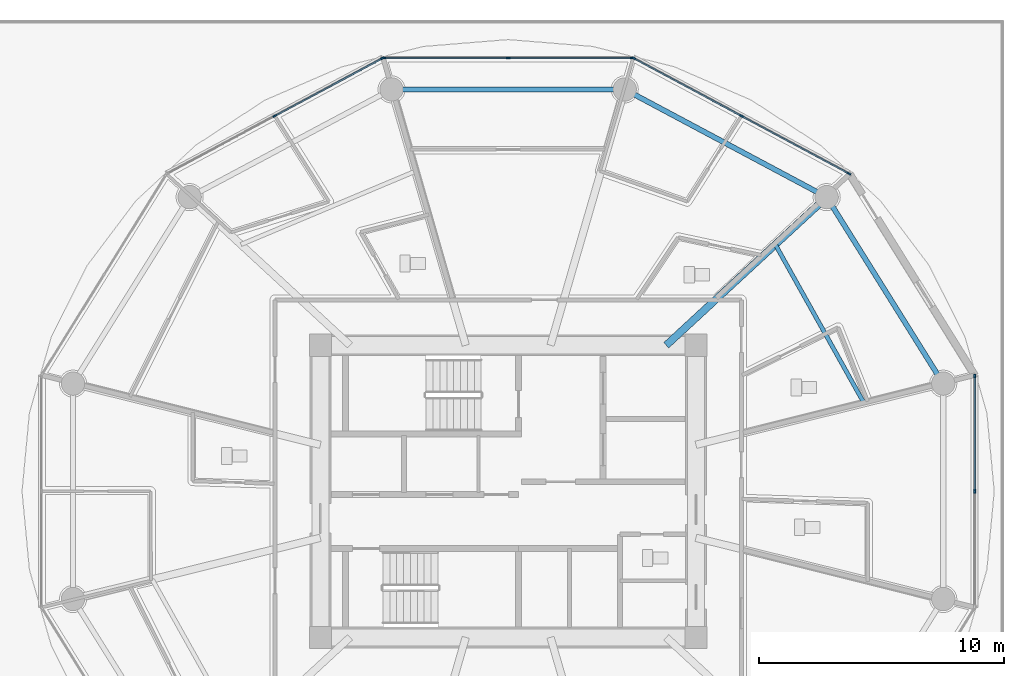
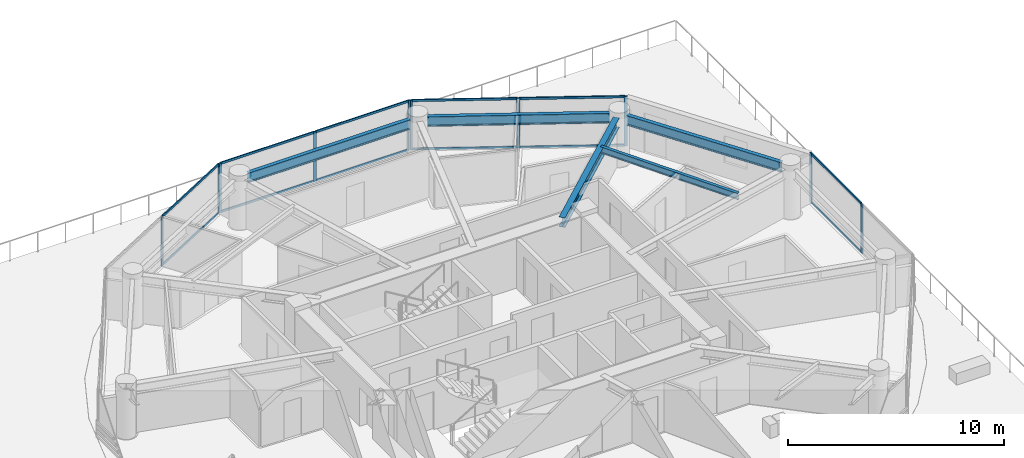
# One storey, part 12 of 32: 22 members, 5 beams, 4 elements without a shape of their own.
"""IFC4 building model written with IfcOpenShell, lengths in metres."""

from ifc_helpers import new_model, si_unit, direction, frame, origin, origin_2d, place, context, subcontext, project, spatial, rectangle, i_section, extrude, source, transform, mapped, material, layer, layer_set, material_profile, profile_set, type_object, type_shapes, element, aggregate, save


model = new_model("IFC4")

# Units and contexts
model_context = context("Model", 3, precision=1e-05, world=origin(), true_north=direction((0.0, 1.0)))
body_context = subcontext(model_context, "Body", "Model", "MODEL_VIEW")
ifc_project = project(units=[si_unit("LENGTHUNIT", "METRE"), si_unit("AREAUNIT", "SQUARE_METRE"), si_unit("VOLUMEUNIT", "CUBIC_METRE"), si_unit("PLANEANGLEUNIT", "RADIAN"), si_unit("MASSUNIT", "GRAM", prefix="KILO")], contexts=[model_context])

# Site, building, storey
site_placement = place(None, origin())
site = spatial("IfcSite", under=ifc_project, at=site_placement, CompositionType="ELEMENT")
building_placement = place(site_placement, origin())
building = spatial("IfcBuilding", under=site, at=building_placement, Name="Norrkilde Senior Care Towers", CompositionType="ELEMENT")
storey_placement = place(building_placement, frame((0.0, 0.0, 21.60009765625)))
storey = spatial("IfcBuildingStorey", under=building, at=storey_placement, Name="L05", CompositionType="ELEMENT", Elevation=21.60009765625)

# Beams
ifc_material_1 = material(Name="Steel S355", Category="steel")
ifc_material_profile_1 = material_profile(ifc_material_1, i_section(OverallWidth=0.2099609375, OverallDepth=0.550048828125, WebThickness=0.010986328125, FlangeThickness=0.01708984375, FilletRadius=0.02392578125, at=origin_2d()), Name="IPE 550")
ifc_profile_set_1 = profile_set([ifc_material_profile_1], Name="Steel S355")
beam_type_1 = type_object("IfcBeamType", Name="Perimeter Ring Spandrel Z1 IPE550", PredefinedType="SPANDREL", material=ifc_profile_set_1)
shared_shape_1 = source(origin(), body_context, "Body", "SweptSolid", [
    extrude(i_section(OverallWidth=0.2099609375, OverallDepth=0.550048828125, WebThickness=0.010986328125, FlangeThickness=0.01708984375, FilletRadius=0.02392578125, at=origin_2d()), origin(), (0.0, 0.0, 1.0), 8.090576171875),
])
beam_1_placement = place(storey_placement, frame((45.494140625, 4.755859375, 2.514892578125), z_axis=(-0.530004364821, 0.84799491347, 0.0), x_axis=(-0.84799491347, -0.530004364821, 0.0)))
element("IfcBeam", 1, at=beam_1_placement, inside=storey, type_object=beam_type_1, Name="L05 Drum E Perimeter Spandrel 01", PredefinedType="SPANDREL", context=body_context, shape_type="MappedRepresentation", body=[
    mapped(shared_shape_1, transform((0.0, 0.0, 0.0), x_axis=(1.0, 0.0, 0.0), y_axis=(0.0, 1.0, 0.0), z_axis=(0.0, 0.0, 1.0), scale=1.0)),
])
shared_shape_2 = source(origin(), body_context, "Body", "SweptSolid", [
    extrude(i_section(OverallWidth=0.2099609375, OverallDepth=0.550048828125, WebThickness=0.010986328125, FlangeThickness=0.01708984375, FilletRadius=0.02392578125, at=origin_2d()), origin(), (0.0, 0.0, 1.0), 8.452880859375),
])
beam_2_placement = place(storey_placement, frame((40.591552734375, 12.190185546875, 2.514892578125), z_axis=(-0.882368931134, 0.470558252898, 0.0), x_axis=(-0.470558252898, -0.882368931134, 0.0)))
element("IfcBeam", 2, at=beam_2_placement, inside=storey, type_object=beam_type_1, Name="L05 Drum E Perimeter Spandrel 02", PredefinedType="SPANDREL", context=body_context, shape_type="MappedRepresentation", body=[
    mapped(shared_shape_2, transform((0.0, 0.0, 0.0), x_axis=(1.0, 0.0, 0.0), y_axis=(0.0, 1.0, 0.0), z_axis=(0.0, 0.0, 1.0), scale=1.0)),
])
ifc_material_profile_2 = material_profile(ifc_material_1, i_section(OverallWidth=0.300048828125, OverallDepth=0.550048828125, WebThickness=0.014892578125, FlangeThickness=0.029052734375, FilletRadius=0.027099609375, at=origin_2d()), Name="HEB 550")
ifc_profile_set_2 = profile_set([ifc_material_profile_2], Name="Steel S355")
beam_type_2 = type_object("IfcBeamType", Name="Radial Floor Beam Z1 HEB550", PredefinedType="BEAM", material=ifc_profile_set_2)
shared_shape_3 = source(origin(), body_context, "Body", "SweptSolid", [
    extrude(i_section(OverallWidth=0.300048828125, OverallDepth=0.550048828125, WebThickness=0.014892578125, FlangeThickness=0.029052734375, FilletRadius=0.027099609375, at=origin_2d()), origin(), (0.0, 0.0, 1.0), 8.459716796875),
])
type_shapes(beam_type_2, [shared_shape_3])
beam_3_placement = place(storey_placement, frame((34.44140625, 5.949951171875, 2.514892578125), z_axis=(0.734573269108, 0.678529374686, 0.0), x_axis=(-0.678529374686, 0.734573269108, 0.0)))
element("IfcBeam", 3, at=beam_3_placement, inside=storey, type_object=beam_type_2, Name="L05 Drum E Radial Floor Beam 02", PredefinedType="BEAM", context=body_context, shape_type="MappedRepresentation", body=[
    mapped(shared_shape_3, transform((0.0, 0.0, 0.0), x_axis=(1.0, 0.0, 0.0), y_axis=(0.0, 1.0, 0.0), z_axis=(0.0, 0.0, 1.0), scale=1.0)),
])
shared_shape_4 = source(origin(), body_context, "Body", "SweptSolid", [
    extrude(i_section(OverallWidth=0.2099609375, OverallDepth=0.550048828125, WebThickness=0.010986328125, FlangeThickness=0.01708984375, FilletRadius=0.02392578125, at=origin_2d()), origin(), (0.0, 0.0, 1.0), 8.62841796875),
])
type_shapes(beam_type_1, [shared_shape_1, shared_shape_2, shared_shape_4])
beam_4_placement = place(storey_placement, frame((32.314208984375, 16.37255859375, 2.514892578125), z_axis=(-1.0, 0.0, 0.0), x_axis=(0.0, -1.0, 0.0)))
element("IfcBeam", 4, at=beam_4_placement, inside=storey, type_object=beam_type_1, Name="L05 Drum E Perimeter Spandrel 03", PredefinedType="SPANDREL", context=body_context, shape_type="MappedRepresentation", body=[
    mapped(shared_shape_4, transform((0.0, 0.0, 0.0), x_axis=(1.0, 0.0, 0.0), y_axis=(0.0, 1.0, 0.0), z_axis=(0.0, 0.0, 1.0), scale=1.0)),
])
ifc_material_profile_3 = material_profile(ifc_material_1, i_section(OverallWidth=0.169921875, OverallDepth=0.360107421875, WebThickness=0.008056640625, FlangeThickness=0.0126953125, FilletRadius=0.01806640625, at=origin_2d()), Name="IPE 360")
ifc_profile_set_3 = profile_set([ifc_material_profile_3], Name="Steel S355")
beam_type_3 = type_object("IfcBeamType", Name="Secondary Floor Joist IPE360", PredefinedType="JOIST", material=ifc_profile_set_3)
shared_shape_5 = source(origin(), body_context, "Body", "SweptSolid", [
    extrude(i_section(OverallWidth=0.169921875, OverallDepth=0.360107421875, WebThickness=0.008056640625, FlangeThickness=0.0126953125, FilletRadius=0.01806640625, at=origin_2d()), origin(), (0.0, 0.0, 1.0), 7.40771484375),
])
type_shapes(beam_type_3, [shared_shape_5])
beam_5_placement = place(storey_placement, frame((42.500732421875, 3.589111328125, 2.60986328125), z_axis=(-0.488167754092, 0.872749817453, 0.0), x_axis=(-0.872749817453, -0.488167754092, 0.0)))
element("IfcBeam", 5, at=beam_5_placement, inside=storey, type_object=beam_type_3, Name="L05 Drum E Secondary Floor Joist 1", PredefinedType="JOIST", context=body_context, shape_type="MappedRepresentation", body=[
    mapped(shared_shape_5, transform((0.0, 0.0, 0.0), x_axis=(1.0, 0.0, 0.0), y_axis=(0.0, 1.0, 0.0), z_axis=(0.0, 0.0, 1.0), scale=1.0)),
])

# Curtain wall, members
ifc_material_2 = material(Name="Triple Low-E Insulated Glazing", Category="glass")
ifc_layer = layer(ifc_material_2, 0.199951171875)
ifc_layer_set = layer_set([ifc_layer], Name="Triple Low-E Insulated Glazing")
curtain_wall_type = type_object("IfcCurtainWallType", Name="CW2 Zone 1 Memory Care Curtain Wall", PredefinedType="NOTDEFINED", material=ifc_layer_set)
curtain_wall_1_placement = place(storey_placement, origin())
curtain_wall_1 = element("IfcCurtainWall", 6, at=curtain_wall_1_placement, inside=storey, type_object=curtain_wall_type, Name="L05 Drum E Curtain Wall 01", PredefinedType="NOTDEFINED")
ifc_material_3 = material(Name="Anodised Aluminium", Category="aluminium")
ifc_material_profile_4 = material_profile(ifc_material_3, rectangle(XDim=0.06494140625, YDim=0.159912109375, at=origin_2d()), Name="ALU MULL 65x160")
ifc_profile_set_4 = profile_set([ifc_material_profile_4], Name="Anodised Aluminium")
member_type_1 = type_object("IfcMemberType", Name="Curtain Wall Mullion Z1-Z2 65x160", PredefinedType="MULLION", material=ifc_profile_set_4)
shared_shape_6 = source(origin(), body_context, "Body", "SweptSolid", [
    extrude(rectangle(XDim=0.06494140625, YDim=0.159912109375, at=origin_2d()), origin(), (0.0, 0.0, 1.0), 2.789794921875),
])
type_shapes(member_type_1, [shared_shape_6])
member_1_placement = place(storey_placement, frame((33.122314453125, 17.641845703125, 0.0), z_axis=(0.0, 0.0, 1.0), x_axis=(0.472607802456, 0.881272866403, 0.0)))
member_1 = element("IfcMember", 7, at=member_1_placement, type_object=member_type_1, Name="CW-2 mullion 1", PredefinedType="MULLION", context=body_context, shape_type="MappedRepresentation", body=[
    mapped(shared_shape_6, transform((0.0, 0.0, 0.0), x_axis=(1.0, 0.0, 0.0), y_axis=(0.0, 1.0, 0.0), z_axis=(0.0, 0.0, 1.0), scale=1.0)),
])
member_2_placement = place(storey_placement, frame((37.504638671875, 15.29150390625, 0.0), z_axis=(0.0, 0.0, 1.0), x_axis=(0.472607802456, 0.881272866403, 0.0)))
member_2 = element("IfcMember", 8, at=member_2_placement, type_object=member_type_1, Name="CW-2 mullion 2", PredefinedType="MULLION", context=body_context, shape_type="MappedRepresentation", body=[
    mapped(shared_shape_6, transform((0.0, 0.0, 0.0), x_axis=(1.0, 0.0, 0.0), y_axis=(0.0, 1.0, 0.0), z_axis=(0.0, 0.0, 1.0), scale=1.0)),
])
member_3_placement = place(storey_placement, frame((41.88720703125, 12.941162109375, 0.0), z_axis=(0.0, 0.0, 1.0), x_axis=(0.472607802456, 0.881272866403, 0.0)))
member_3 = element("IfcMember", 9, at=member_3_placement, type_object=member_type_1, Name="CW-2 mullion 3", PredefinedType="MULLION", context=body_context, shape_type="MappedRepresentation", body=[
    mapped(shared_shape_6, transform((0.0, 0.0, 0.0), x_axis=(1.0, 0.0, 0.0), y_axis=(0.0, 1.0, 0.0), z_axis=(0.0, 0.0, 1.0), scale=1.0)),
])

curtain_wall_2_placement = place(storey_placement, origin())
curtain_wall_2 = element("IfcCurtainWall", 10, at=curtain_wall_2_placement, inside=storey, type_object=curtain_wall_type, Name="L05 Drum E Curtain Wall 02", PredefinedType="NOTDEFINED")
member_4_placement = place(storey_placement, frame((22.93896484375, 17.6572265625, 0.0), z_axis=(0.0, 0.0, 1.0), x_axis=(0.0, 1.0, 0.0)))
member_4 = element("IfcMember", 11, at=member_4_placement, type_object=member_type_1, Name="CW-2 mullion 1", PredefinedType="MULLION", context=body_context, shape_type="MappedRepresentation", body=[
    mapped(shared_shape_6, transform((0.0, 0.0, 0.0), x_axis=(1.0, 0.0, 0.0), y_axis=(0.0, 1.0, 0.0), z_axis=(0.0, 0.0, 1.0), scale=1.0)),
])
member_5_placement = place(storey_placement, frame((28.0, 17.6572265625, 0.0), z_axis=(0.0, 0.0, 1.0), x_axis=(0.0, 1.0, 0.0)))
member_5 = element("IfcMember", 12, at=member_5_placement, type_object=member_type_1, Name="CW-2 mullion 2", PredefinedType="MULLION", context=body_context, shape_type="MappedRepresentation", body=[
    mapped(shared_shape_6, transform((0.0, 0.0, 0.0), x_axis=(1.0, 0.0, 0.0), y_axis=(0.0, 1.0, 0.0), z_axis=(0.0, 0.0, 1.0), scale=1.0)),
])
member_6_placement = place(storey_placement, frame((33.06103515625, 17.6572265625, 0.0), z_axis=(0.0, 0.0, 1.0), x_axis=(0.0, 1.0, 0.0)))
member_6 = element("IfcMember", 13, at=member_6_placement, type_object=member_type_1, Name="CW-2 mullion 3", PredefinedType="MULLION", context=body_context, shape_type="MappedRepresentation", body=[
    mapped(shared_shape_6, transform((0.0, 0.0, 0.0), x_axis=(1.0, 0.0, 0.0), y_axis=(0.0, 1.0, 0.0), z_axis=(0.0, 0.0, 1.0), scale=1.0)),
])

curtain_wall_3_placement = place(storey_placement, origin())
curtain_wall_3 = element("IfcCurtainWall", 14, at=curtain_wall_3_placement, inside=storey, type_object=curtain_wall_type, Name="L05 Drum E Curtain Wall 03", PredefinedType="NOTDEFINED")
member_7_placement = place(storey_placement, frame((18.495361328125, 15.29150390625, 0.0), z_axis=(0.0, 0.0, 1.0), x_axis=(-0.472607802456, 0.881272866403, 0.0)))
member_7 = element("IfcMember", 15, at=member_7_placement, type_object=member_type_1, Name="CW-2 mullion 2", PredefinedType="MULLION", context=body_context, shape_type="MappedRepresentation", body=[
    mapped(shared_shape_6, transform((0.0, 0.0, 0.0), x_axis=(1.0, 0.0, 0.0), y_axis=(0.0, 1.0, 0.0), z_axis=(0.0, 0.0, 1.0), scale=1.0)),
])
member_8_placement = place(storey_placement, frame((22.877685546875, 17.641845703125, 0.0), z_axis=(0.0, 0.0, 1.0), x_axis=(-0.472607802456, 0.881272866403, 0.0)))
member_8 = element("IfcMember", 16, at=member_8_placement, type_object=member_type_1, Name="CW-2 mullion 3", PredefinedType="MULLION", context=body_context, shape_type="MappedRepresentation", body=[
    mapped(shared_shape_6, transform((0.0, 0.0, 0.0), x_axis=(1.0, 0.0, 0.0), y_axis=(0.0, 1.0, 0.0), z_axis=(0.0, 0.0, 1.0), scale=1.0)),
])

curtain_wall_4_placement = place(storey_placement, origin())
curtain_wall_4 = element("IfcCurtainWall", 17, at=curtain_wall_4_placement, inside=storey, type_object=curtain_wall_type, Name="L05 Drum E Curtain Wall 11", PredefinedType="NOTDEFINED")
member_9_placement = place(storey_placement, frame((47.009521484375, 4.69873046875, 0.0), z_axis=(0.0, 0.0, 1.0), x_axis=(1.0, 0.0, 0.0)))
member_9 = element("IfcMember", 18, at=member_9_placement, type_object=member_type_1, Name="CW-2 mullion 1", PredefinedType="MULLION", context=body_context, shape_type="MappedRepresentation", body=[
    mapped(shared_shape_6, transform((0.0, 0.0, 0.0), x_axis=(1.0, 0.0, 0.0), y_axis=(0.0, 1.0, 0.0), z_axis=(0.0, 0.0, 1.0), scale=1.0)),
])
member_10_placement = place(storey_placement, frame((47.009521484375, 0.0, 0.0), z_axis=(0.0, 0.0, 1.0), x_axis=(1.0, 0.0, 0.0)))
member_10 = element("IfcMember", 19, at=member_10_placement, type_object=member_type_1, Name="CW-2 mullion 2", PredefinedType="MULLION", context=body_context, shape_type="MappedRepresentation", body=[
    mapped(shared_shape_6, transform((0.0, 0.0, 0.0), x_axis=(1.0, 0.0, 0.0), y_axis=(0.0, 1.0, 0.0), z_axis=(0.0, 0.0, 1.0), scale=1.0)),
])

# Member
ifc_material_profile_5 = material_profile(ifc_material_3, rectangle(XDim=0.06005859375, YDim=0.1201171875, at=origin_2d()), Name="ALU TRAN 60x120")
ifc_profile_set_5 = profile_set([ifc_material_profile_5], Name="Anodised Aluminium")
member_type_2 = type_object("IfcMemberType", Name="Curtain Wall Transom Typical 60x120", PredefinedType="USERDEFINED", material=ifc_profile_set_5)
shared_shape_7 = source(origin(), body_context, "Body", "SweptSolid", [
    extrude(rectangle(XDim=0.06005859375, YDim=0.1201171875, at=origin_2d()), origin(), (0.0, 0.0, 1.0), 4.907958984375),
])
member_11_placement = place(storey_placement, frame((33.15087890625, 17.62646484375, 0.02978515625), z_axis=(0.881266902561, -0.472618923077, 0.0), x_axis=(0.472618923077, 0.881266902561, 0.0)))
member_11 = element("IfcMember", 20, at=member_11_placement, type_object=member_type_2, Name="CW-2 transom 1.1", ObjectType="TRANSOM", PredefinedType="USERDEFINED", context=body_context, shape_type="MappedRepresentation", body=[
    mapped(shared_shape_7, transform((0.0, 0.0, 0.0), x_axis=(1.0, 0.0, 0.0), y_axis=(0.0, 1.0, 0.0), z_axis=(0.0, 0.0, 1.0), scale=1.0)),
])

member_12_placement = place(storey_placement, frame((33.15087890625, 17.62646484375, 2.760009765625), z_axis=(0.881266902561, -0.472618923077, 0.0), x_axis=(0.472618923077, 0.881266902561, 0.0)))
member_12 = element("IfcMember", 21, at=member_12_placement, type_object=member_type_2, Name="CW-2 transom 1.2", ObjectType="TRANSOM", PredefinedType="USERDEFINED", context=body_context, shape_type="MappedRepresentation", body=[
    mapped(shared_shape_7, transform((0.0, 0.0, 0.0), x_axis=(1.0, 0.0, 0.0), y_axis=(0.0, 1.0, 0.0), z_axis=(0.0, 0.0, 1.0), scale=1.0)),
])

member_13_placement = place(storey_placement, frame((37.533447265625, 15.276123046875, 0.02978515625), z_axis=(0.881266902561, -0.472618923077, 0.0), x_axis=(0.472618923077, 0.881266902561, 0.0)))
member_13 = element("IfcMember", 22, at=member_13_placement, type_object=member_type_2, Name="CW-2 transom 2.1", ObjectType="TRANSOM", PredefinedType="USERDEFINED", context=body_context, shape_type="MappedRepresentation", body=[
    mapped(shared_shape_7, transform((0.0, 0.0, 0.0), x_axis=(1.0, 0.0, 0.0), y_axis=(0.0, 1.0, 0.0), z_axis=(0.0, 0.0, 1.0), scale=1.0)),
])

member_14_placement = place(storey_placement, frame((37.533447265625, 15.276123046875, 2.760009765625), z_axis=(0.881266902561, -0.472618923077, 0.0), x_axis=(0.472618923077, 0.881266902561, 0.0)))
member_14 = element("IfcMember", 23, at=member_14_placement, type_object=member_type_2, Name="CW-2 transom 2.2", ObjectType="TRANSOM", PredefinedType="USERDEFINED", context=body_context, shape_type="MappedRepresentation", body=[
    mapped(shared_shape_7, transform((0.0, 0.0, 0.0), x_axis=(1.0, 0.0, 0.0), y_axis=(0.0, 1.0, 0.0), z_axis=(0.0, 0.0, 1.0), scale=1.0)),
])

aggregate(curtain_wall_1, [member_1, member_2, member_3, member_11, member_12, member_13, member_14])

member_15_placement = place(storey_placement, frame((18.52392578125, 15.306884765625, 0.02978515625), z_axis=(0.881266902561, 0.472618923077, 0.0), x_axis=(-0.472618923077, 0.881266902561, 0.0)))
member_15 = element("IfcMember", 24, at=member_15_placement, type_object=member_type_2, Name="CW-2 transom 2.1", ObjectType="TRANSOM", PredefinedType="USERDEFINED", context=body_context, shape_type="MappedRepresentation", body=[
    mapped(shared_shape_7, transform((0.0, 0.0, 0.0), x_axis=(1.0, 0.0, 0.0), y_axis=(0.0, 1.0, 0.0), z_axis=(0.0, 0.0, 1.0), scale=1.0)),
])

member_16_placement = place(storey_placement, frame((18.52392578125, 15.306884765625, 2.760009765625), z_axis=(0.881266902561, 0.472618923077, 0.0), x_axis=(-0.472618923077, 0.881266902561, 0.0)))
member_16 = element("IfcMember", 25, at=member_16_placement, type_object=member_type_2, Name="CW-2 transom 2.2", ObjectType="TRANSOM", PredefinedType="USERDEFINED", context=body_context, shape_type="MappedRepresentation", body=[
    mapped(shared_shape_7, transform((0.0, 0.0, 0.0), x_axis=(1.0, 0.0, 0.0), y_axis=(0.0, 1.0, 0.0), z_axis=(0.0, 0.0, 1.0), scale=1.0)),
])

aggregate(curtain_wall_3, [member_7, member_8, member_15, member_16])

shared_shape_8 = source(origin(), body_context, "Body", "SweptSolid", [
    extrude(rectangle(XDim=0.06005859375, YDim=0.1201171875, at=origin_2d()), origin(), (0.0, 0.0, 1.0), 4.99609375),
])
member_17_placement = place(storey_placement, frame((22.971435546875, 17.6572265625, 0.02978515625), z_axis=(1.0, 0.0, 0.0), x_axis=(0.0, 1.0, 0.0)))
member_17 = element("IfcMember", 26, at=member_17_placement, type_object=member_type_2, Name="CW-2 transom 1.1", ObjectType="TRANSOM", PredefinedType="USERDEFINED", context=body_context, shape_type="MappedRepresentation", body=[
    mapped(shared_shape_8, transform((0.0, 0.0, 0.0), x_axis=(1.0, 0.0, 0.0), y_axis=(0.0, 1.0, 0.0), z_axis=(0.0, 0.0, 1.0), scale=1.0)),
])

member_18_placement = place(storey_placement, frame((22.971435546875, 17.6572265625, 2.760009765625), z_axis=(1.0, 0.0, 0.0), x_axis=(0.0, 1.0, 0.0)))
member_18 = element("IfcMember", 27, at=member_18_placement, type_object=member_type_2, Name="CW-2 transom 1.2", ObjectType="TRANSOM", PredefinedType="USERDEFINED", context=body_context, shape_type="MappedRepresentation", body=[
    mapped(shared_shape_8, transform((0.0, 0.0, 0.0), x_axis=(1.0, 0.0, 0.0), y_axis=(0.0, 1.0, 0.0), z_axis=(0.0, 0.0, 1.0), scale=1.0)),
])

member_19_placement = place(storey_placement, frame((28.032470703125, 17.6572265625, 0.02978515625), z_axis=(1.0, 0.0, 0.0), x_axis=(0.0, 1.0, 0.0)))
member_19 = element("IfcMember", 28, at=member_19_placement, type_object=member_type_2, Name="CW-2 transom 2.1", ObjectType="TRANSOM", PredefinedType="USERDEFINED", context=body_context, shape_type="MappedRepresentation", body=[
    mapped(shared_shape_8, transform((0.0, 0.0, 0.0), x_axis=(1.0, 0.0, 0.0), y_axis=(0.0, 1.0, 0.0), z_axis=(0.0, 0.0, 1.0), scale=1.0)),
])

member_20_placement = place(storey_placement, frame((28.032470703125, 17.6572265625, 2.760009765625), z_axis=(1.0, 0.0, 0.0), x_axis=(0.0, 1.0, 0.0)))
member_20 = element("IfcMember", 29, at=member_20_placement, type_object=member_type_2, Name="CW-2 transom 2.2", ObjectType="TRANSOM", PredefinedType="USERDEFINED", context=body_context, shape_type="MappedRepresentation", body=[
    mapped(shared_shape_8, transform((0.0, 0.0, 0.0), x_axis=(1.0, 0.0, 0.0), y_axis=(0.0, 1.0, 0.0), z_axis=(0.0, 0.0, 1.0), scale=1.0)),
])

aggregate(curtain_wall_2, [member_4, member_5, member_6, member_17, member_18, member_19, member_20])

shared_shape_9 = source(origin(), body_context, "Body", "SweptSolid", [
    extrude(rectangle(XDim=0.06005859375, YDim=0.1201171875, at=origin_2d()), origin(), (0.0, 0.0, 1.0), 4.6337890625),
])
type_shapes(member_type_2, [shared_shape_7, shared_shape_8, shared_shape_9])
member_21_placement = place(storey_placement, frame((47.009521484375, 4.666259765625, 0.02978515625), z_axis=(0.0, -1.0, 0.0), x_axis=(1.0, 0.0, 0.0)))
member_21 = element("IfcMember", 30, at=member_21_placement, type_object=member_type_2, Name="CW-2 transom 1.1", ObjectType="TRANSOM", PredefinedType="USERDEFINED", context=body_context, shape_type="MappedRepresentation", body=[
    mapped(shared_shape_9, transform((0.0, 0.0, 0.0), x_axis=(1.0, 0.0, 0.0), y_axis=(0.0, 1.0, 0.0), z_axis=(0.0, 0.0, 1.0), scale=1.0)),
])

member_22_placement = place(storey_placement, frame((47.009521484375, 4.666259765625, 2.760009765625), z_axis=(0.0, -1.0, 0.0), x_axis=(1.0, 0.0, 0.0)))
member_22 = element("IfcMember", 31, at=member_22_placement, type_object=member_type_2, Name="CW-2 transom 1.2", ObjectType="TRANSOM", PredefinedType="USERDEFINED", context=body_context, shape_type="MappedRepresentation", body=[
    mapped(shared_shape_9, transform((0.0, 0.0, 0.0), x_axis=(1.0, 0.0, 0.0), y_axis=(0.0, 1.0, 0.0), z_axis=(0.0, 0.0, 1.0), scale=1.0)),
])

aggregate(curtain_wall_4, [member_9, member_10, member_21, member_22])

save(model, "model.ifc")
